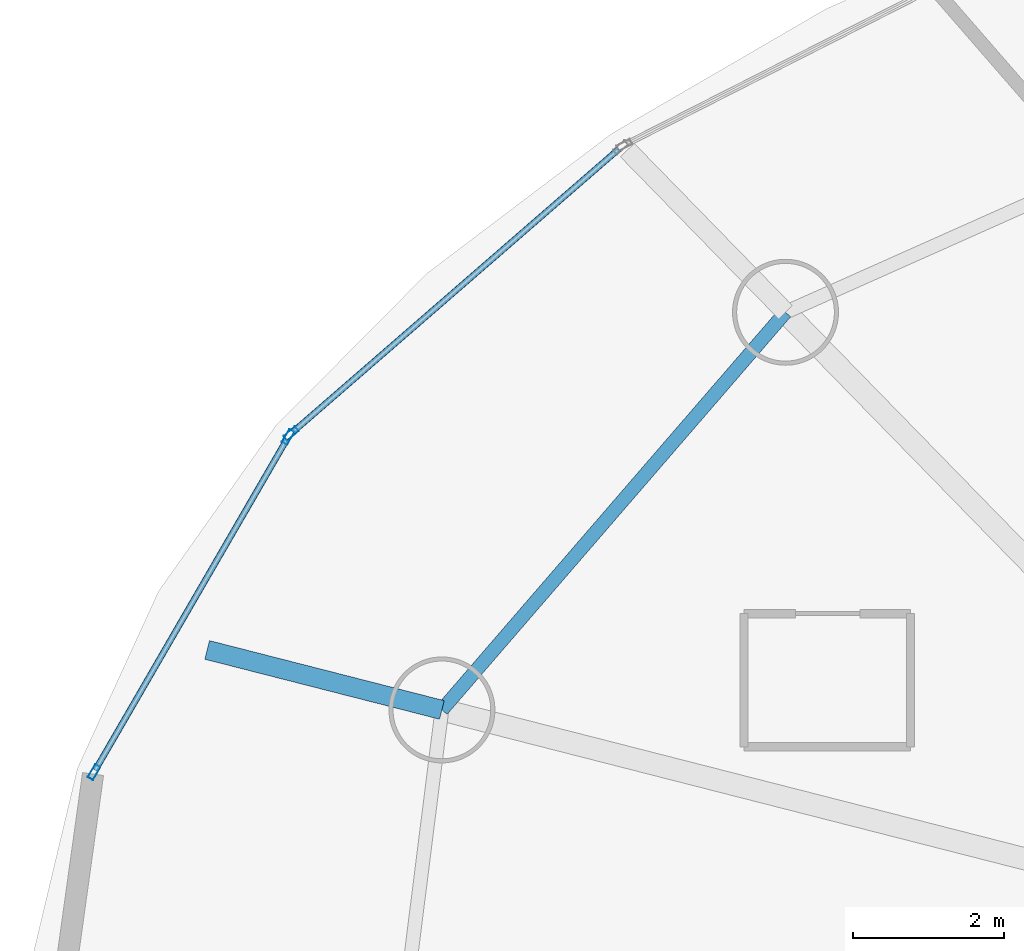
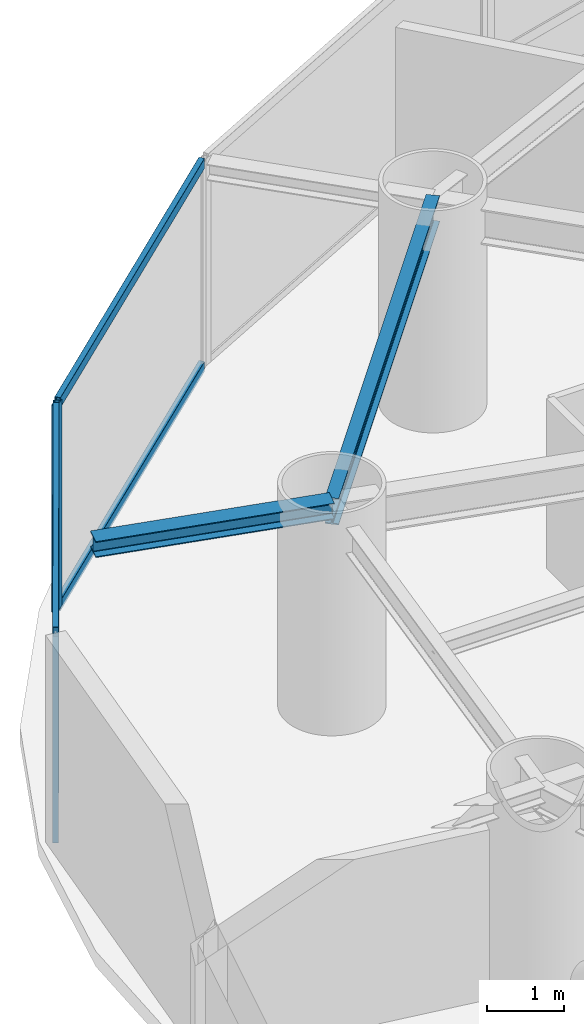
# One storey, part 7 of 19: 7 members, 2 beams, 2 elements without a shape of their own.
"""IFC4 building model written with IfcOpenShell, lengths in metres."""

from ifc_helpers import new_model, si_unit, direction, frame, origin, origin_2d, place, context, subcontext, project, spatial, hollow_rectangle, i_section, extrude, material, layer, layer_set, material_profile, profile_set, type_object, element, aggregate, save


model = new_model("IFC4")

# Units and contexts
model_context = context("Model", 3, precision=1e-05, world=origin(), true_north=direction((0.0, 1.0)))
body_context = subcontext(model_context, "Body", "Model", "MODEL_VIEW")
ifc_project = project(units=[si_unit("LENGTHUNIT", "METRE"), si_unit("AREAUNIT", "SQUARE_METRE"), si_unit("VOLUMEUNIT", "CUBIC_METRE"), si_unit("PLANEANGLEUNIT", "RADIAN"), si_unit("MASSUNIT", "GRAM", prefix="KILO")], contexts=[model_context])

# Site, building, storey
site_placement = place(None, origin())
site = spatial("IfcSite", under=ifc_project, at=site_placement, CompositionType="ELEMENT")
building_placement = place(site_placement, origin())
building = spatial("IfcBuilding", under=site, at=building_placement, Name="Bramvorn Convention Spire", CompositionType="ELEMENT")
storey_placement = place(building_placement, frame((0.0, 0.0, 109.800048828125)))
storey = spatial("IfcBuildingStorey", under=building, at=storey_placement, Name="L26", CompositionType="ELEMENT", Elevation=109.800048828125)

# Beams
ifc_material_1 = material(Name="Steel CSA G40.21 Grade 350 (350W)", Category="steel")
ifc_material_profile_1 = material_profile(ifc_material_1, i_section(OverallWidth=0.25390625, OverallDepth=0.2529296875, WebThickness=0.008544921875, FlangeThickness=0.01416015625, FilletRadius=0.011962890625, at=origin_2d()))
ifc_profile_set_1 = profile_set([ifc_material_profile_1], Name="Steel CSA G40.21 Grade 350 (350W) - W250X73")
beam_type_1 = type_object("IfcBeamType", Name="BM-W250X73", PredefinedType="BEAM", material=ifc_profile_set_1)
beam_1_placement = place(storey_placement, frame((13.88232421875, 36.73779296875, 3.133544921875), z_axis=(-0.968868276357, 0.24757678217, 0.0), x_axis=(-0.24757678217, -0.968868276357, 0.0)))
element("IfcBeam", 1, at=beam_1_placement, inside=storey, type_object=beam_type_1, Name="L26 slab-edge cantilever tip beam MC09", PredefinedType="BEAM", context=body_context, shape_type="SweptSolid", body=[
    extrude(i_section(OverallWidth=0.25390625, OverallDepth=0.2529296875, WebThickness=0.008544921875, FlangeThickness=0.01416015625, FilletRadius=0.011962890625, at=origin_2d()), origin(), (0.0, 0.0, 1.0), 3.199951171875),
])
ifc_material_profile_2 = material_profile(ifc_material_1, i_section(OverallWidth=0.180908203125, OverallDepth=0.4169921875, WebThickness=0.010986328125, FlangeThickness=0.018310546875, FilletRadius=0.01611328125, at=origin_2d()))
ifc_profile_set_2 = profile_set([ifc_material_profile_2], Name="Steel CSA G40.21 Grade 350 (350W) - W410X85")
beam_type_2 = type_object("IfcBeamType", Name="BM-W410X85", PredefinedType="JOIST", material=ifc_profile_set_2)
beam_2_placement = place(storey_placement, frame((18.420166015625, 41.9892578125, 3.051513671875), z_axis=(-0.653824993824, -0.756645807132, 0.0), x_axis=(0.756645807132, -0.653824993824, 0.0)))
element("IfcBeam", 2, at=beam_2_placement, inside=storey, type_object=beam_type_2, Name="L26 mega-column ring beam 08", PredefinedType="JOIST", context=body_context, shape_type="SweptSolid", body=[
    extrude(i_section(OverallWidth=0.180908203125, OverallDepth=0.4169921875, WebThickness=0.010986328125, FlangeThickness=0.018310546875, FilletRadius=0.01611328125, at=origin_2d()), origin(), (0.0, 0.0, 1.0), 6.9404296875),
])

# Curtain wall, member
ifc_material_2 = material(Name="Anodised Bronze Unitised Curtain Wall", Category="aluminium")
ifc_layer = layer(ifc_material_2, 0.179931640625)
ifc_layer_set = layer_set([ifc_layer], Name="Anodised Bronze Unitised Curtain Wall - CW-HTL-FRIT")
curtain_wall_type = type_object("IfcCurtainWallType", Name="CW-HTL-FRIT", PredefinedType="USERDEFINED", material=ifc_layer_set)
curtain_wall_1_placement = place(storey_placement, origin())
curtain_wall_1 = element("IfcCurtainWall", 3, at=curtain_wall_1_placement, inside=storey, type_object=curtain_wall_type, Name="L26 fritted glass curtain wall 11", ObjectType="UNITISED CURTAIN WALL", PredefinedType="USERDEFINED")
ifc_material_3 = material(Name="Anodised Bronze Aluminium 6063-T6", Category="aluminium")
ifc_material_profile_3 = material_profile(ifc_material_3, hollow_rectangle(XDim=0.080078125, YDim=0.199951171875, WallThickness=0.00390625, InnerFilletRadius=0.0009765625, OuterFilletRadius=0.00390625, at=origin_2d()))
ifc_profile_set_3 = profile_set([ifc_material_profile_3], Name="Anodised Bronze Aluminium 6063-T6 - CWM80X200")
member_type_1 = type_object("IfcMemberType", Name="CW-MUL-180", PredefinedType="MULLION", material=ifc_profile_set_3)
member_1_placement = place(storey_placement, frame((11.89111328125, 40.387939453125, 0.0), z_axis=(0.0, 0.0, 1.0), x_axis=(-0.655499842803, 0.755195309894, 0.0)))
member_1 = element("IfcMember", 4, at=member_1_placement, type_object=member_type_1, Name="CW2 mullion 1", PredefinedType="MULLION", context=body_context, shape_type="SweptSolid", body=[
    extrude(hollow_rectangle(XDim=0.080078125, YDim=0.199951171875, WallThickness=0.00390625, InnerFilletRadius=0.0009765625, OuterFilletRadius=0.00390625, at=origin_2d()), origin(), (0.0, 0.0, 1.0), 3.260009765625),
])

# Curtain wall, members
curtain_wall_2_placement = place(storey_placement, origin())
curtain_wall_2 = element("IfcCurtainWall", 5, at=curtain_wall_2_placement, inside=storey, type_object=curtain_wall_type, Name="L26 fritted glass curtain wall 12", ObjectType="UNITISED CURTAIN WALL", PredefinedType="USERDEFINED")
member_2_placement = place(storey_placement, frame((9.2900390625, 35.916748046875, 0.0), z_axis=(0.0, 0.0, 1.0), x_axis=(-0.865328796292, 0.501204623191, 0.0)))
member_2 = element("IfcMember", 6, at=member_2_placement, type_object=member_type_1, Name="CW2 mullion 1", PredefinedType="MULLION", context=body_context, shape_type="SweptSolid", body=[
    extrude(hollow_rectangle(XDim=0.080078125, YDim=0.199951171875, WallThickness=0.00390625, InnerFilletRadius=0.0009765625, OuterFilletRadius=0.00390625, at=origin_2d()), origin(), (0.0, 0.0, 1.0), 3.260009765625),
])
member_3_placement = place(storey_placement, frame((11.853515625, 40.34228515625, 0.0), z_axis=(0.0, 0.0, 1.0), x_axis=(-0.865328796292, 0.501204623191, 0.0)))
member_3 = element("IfcMember", 7, at=member_3_placement, type_object=member_type_1, Name="CW2 mullion 2", PredefinedType="MULLION", context=body_context, shape_type="SweptSolid", body=[
    extrude(hollow_rectangle(XDim=0.080078125, YDim=0.199951171875, WallThickness=0.00390625, InnerFilletRadius=0.0009765625, OuterFilletRadius=0.00390625, at=origin_2d()), origin(), (0.0, 0.0, 1.0), 3.260009765625),
])

# Member
ifc_material_profile_4 = material_profile(ifc_material_3, hollow_rectangle(XDim=0.080078125, YDim=0.159912109375, WallThickness=0.00390625, InnerFilletRadius=0.0009765625, OuterFilletRadius=0.00390625, at=origin_2d()))
ifc_profile_set_4 = profile_set([ifc_material_profile_4], Name="Anodised Bronze Aluminium 6063-T6 - CWT80X160")
member_type_2 = type_object("IfcMemberType", Name="CW-TRN-150", PredefinedType="USERDEFINED", material=ifc_profile_set_4)
member_4_placement = place(storey_placement, frame((11.913818359375, 40.40771484375, 0.030029296875), z_axis=(0.755201535318, 0.65549267048, 0.0), x_axis=(-0.65549267048, 0.755201535318, 0.0)))
member_4 = element("IfcMember", 8, at=member_4_placement, type_object=member_type_2, Name="CW2 transom 1.1", ObjectType="TRANSOM", PredefinedType="USERDEFINED", context=body_context, shape_type="SweptSolid", body=[
    extrude(hollow_rectangle(XDim=0.080078125, YDim=0.159912109375, WallThickness=0.00390625, InnerFilletRadius=0.0009765625, OuterFilletRadius=0.00390625, at=origin_2d()), origin(), (0.0, 0.0, 1.0), 5.70263671875),
])

member_5_placement = place(storey_placement, frame((11.913818359375, 40.40771484375, 3.22998046875), z_axis=(0.755201535318, 0.65549267048, 0.0), x_axis=(-0.65549267048, 0.755201535318, 0.0)))
member_5 = element("IfcMember", 9, at=member_5_placement, type_object=member_type_2, Name="CW2 transom 1.2", ObjectType="TRANSOM", PredefinedType="USERDEFINED", context=body_context, shape_type="SweptSolid", body=[
    extrude(hollow_rectangle(XDim=0.080078125, YDim=0.159912109375, WallThickness=0.00390625, InnerFilletRadius=0.0009765625, OuterFilletRadius=0.00390625, at=origin_2d()), origin(), (0.0, 0.0, 1.0), 5.70263671875),
])

aggregate(curtain_wall_1, [member_1, member_4, member_5])

member_6_placement = place(storey_placement, frame((9.30517578125, 35.942626953125, 0.030029296875), z_axis=(0.501186682152, 0.865339187621, 0.0), x_axis=(-0.865339187621, 0.501186682152, 0.0)))
member_6 = element("IfcMember", 10, at=member_6_placement, type_object=member_type_2, Name="CW2 transom 1.1", ObjectType="TRANSOM", PredefinedType="USERDEFINED", context=body_context, shape_type="SweptSolid", body=[
    extrude(hollow_rectangle(XDim=0.080078125, YDim=0.159912109375, WallThickness=0.00390625, InnerFilletRadius=0.0009765625, OuterFilletRadius=0.00390625, at=origin_2d()), origin(), (0.0, 0.0, 1.0), 5.054443359375),
])

member_7_placement = place(storey_placement, frame((9.30517578125, 35.942626953125, 3.22998046875), z_axis=(0.501186682152, 0.865339187621, 0.0), x_axis=(-0.865339187621, 0.501186682152, 0.0)))
member_7 = element("IfcMember", 11, at=member_7_placement, type_object=member_type_2, Name="CW2 transom 1.2", ObjectType="TRANSOM", PredefinedType="USERDEFINED", context=body_context, shape_type="SweptSolid", body=[
    extrude(hollow_rectangle(XDim=0.080078125, YDim=0.159912109375, WallThickness=0.00390625, InnerFilletRadius=0.0009765625, OuterFilletRadius=0.00390625, at=origin_2d()), origin(), (0.0, 0.0, 1.0), 5.054443359375),
])

aggregate(curtain_wall_2, [member_2, member_3, member_6, member_7])

save(model, "model.ifc")
